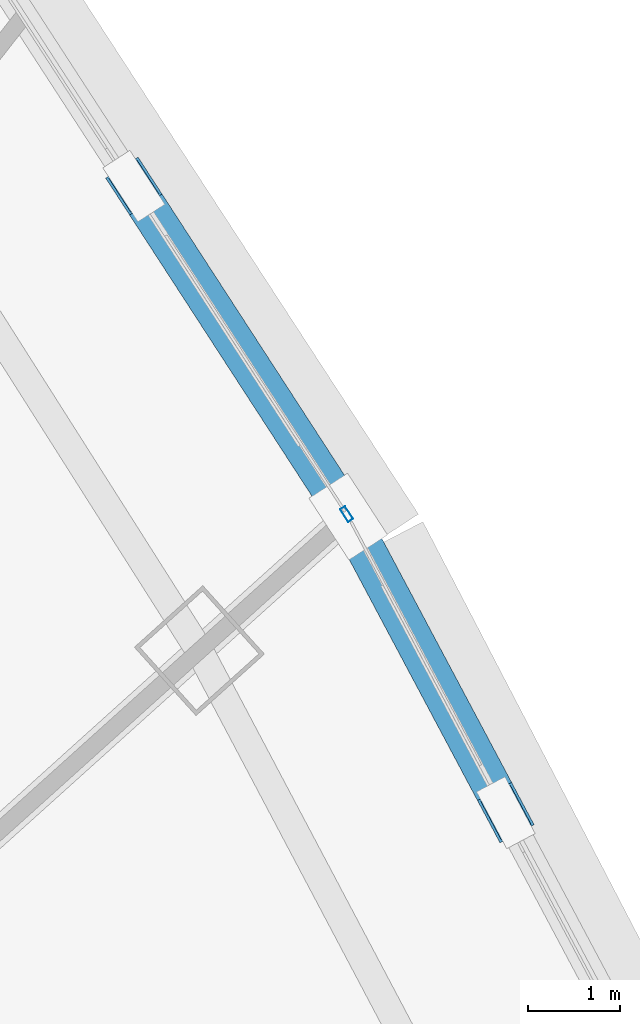
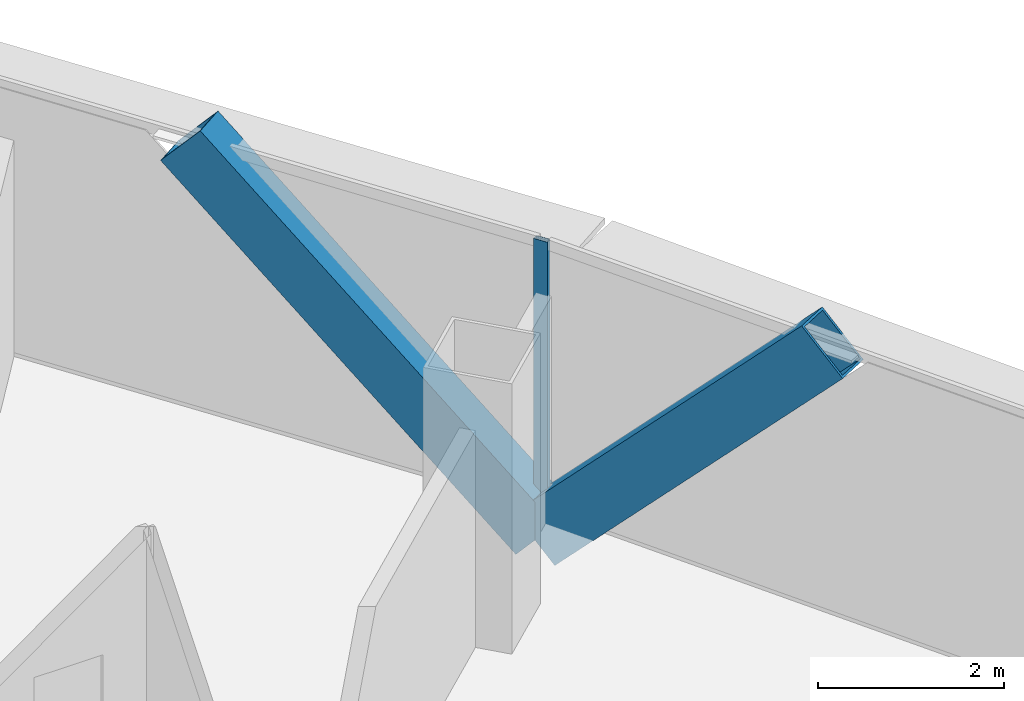
# One storey, part 25 of 38: 3 members, 1 element without a shape of its own.
"""IFC4 building model written with IfcOpenShell, lengths in metres."""

from ifc_helpers import new_model, si_unit, direction, frame, origin, origin_2d, place, context, subcontext, project, spatial, hollow_rectangle, extrude, source, transform, mapped, material, layer, layer_set, material_profile, profile_set, type_object, element, aggregate, save


model = new_model("IFC4")

# Units and contexts
model_context = context("Model", 3, precision=1e-05, world=origin(), true_north=direction((0.0, 1.0)))
body_context = subcontext(model_context, "Body", "Model", "MODEL_VIEW")
ifc_project = project(units=[si_unit("LENGTHUNIT", "METRE"), si_unit("AREAUNIT", "SQUARE_METRE"), si_unit("VOLUMEUNIT", "CUBIC_METRE"), si_unit("PLANEANGLEUNIT", "RADIAN"), si_unit("MASSUNIT", "GRAM", prefix="KILO"), si_unit("THERMODYNAMICTEMPERATUREUNIT", "KELVIN"), si_unit("POWERUNIT", "WATT")], contexts=[model_context])

# Site, building, storey
site_placement = place(None, origin())
site = spatial("IfcSite", under=ifc_project, at=site_placement, CompositionType="ELEMENT")
building_placement = place(site_placement, origin())
building = spatial("IfcBuilding", under=site, at=building_placement, Name="Yunzhuo Pagoda Commons", CompositionType="ELEMENT")
storey_placement = place(building_placement, frame((0.0, 0.0, 81.179931640625)))
storey = spatial("IfcBuildingStorey", under=building, at=storey_placement, Name="L20", CompositionType="ELEMENT", Elevation=81.179931640625)

# Members
ifc_material_1 = material(Name="Structural steel Q420B", Category="steel")
ifc_material_profile_1 = material_profile(ifc_material_1, hollow_rectangle(XDim=0.419921875, YDim=0.719970703125, WallThickness=0.028076171875, at=origin_2d()), Name="Structural steel Q420B")
ifc_profile_set_1 = profile_set([ifc_material_profile_1], Name="Structural steel Q420B")
member_type_1 = type_object("IfcMemberType", Name="M-DL1 Brace BOX 720x420x28", PredefinedType="BRACE", material=ifc_profile_set_1)
shared_shape_1 = source(origin(), body_context, "Body", "SweptSolid", [
    extrude(hollow_rectangle(XDim=0.419921875, YDim=0.719970703125, WallThickness=0.028076171875, at=origin_2d()), origin(), (0.0, 0.0, 1.0), 5.26416015625),
])
member_1_placement = place(storey_placement, frame((74.2197265625, 57.308349609375, -0.260009765625), z_axis=(0.325102900976, -0.610924467127, 0.721858295819), x_axis=(0.88278665507, 0.469774117668, 0.0)))
element("IfcMember", 1, at=member_1_placement, inside=storey, type_object=member_type_1, Name="L20 facade diamond brace F2.2R", PredefinedType="BRACE", context=body_context, shape_type="MappedRepresentation", body=[
    mapped(shared_shape_1, transform((0.0, 0.0, 0.0), scale=1.0)),
])
shared_shape_2 = source(origin(), body_context, "Body", "SweptSolid", [
    extrude(hollow_rectangle(XDim=0.419921875, YDim=0.719970703125, WallThickness=0.028076171875, at=origin_2d()), origin(), (0.0, 0.0, 1.0), 5.722900390625),
])
member_2_placement = place(storey_placement, frame((74.2197265625, 57.308349609375, -0.260009765625), z_axis=(-0.40694068148, 0.627283340023, 0.664014226569), x_axis=(-0.838928196846, -0.544242115732, 0.0)))
element("IfcMember", 2, at=member_2_placement, inside=storey, type_object=member_type_1, Name="L20 facade diamond brace F2.3L", PredefinedType="BRACE", context=body_context, shape_type="MappedRepresentation", body=[
    mapped(shared_shape_2, transform((0.0, 0.0, 0.0), scale=1.0)),
])

# Curtain wall, member
ifc_material_2 = material(Name="Anodized aluminium 6063-T6", Category="aluminium")
ifc_layer = layer(ifc_material_2, 0.1650390625)
ifc_layer_set = layer_set([ifc_layer], Name="Anodized aluminium 6063-T6")
curtain_wall_type = type_object("IfcCurtainWallType", Name="CW-LOW Low-Zone Ribbon Curtain Wall", PredefinedType="NOTDEFINED", material=ifc_layer_set)
curtain_wall_placement = place(storey_placement, origin())
curtain_wall = element("IfcCurtainWall", 3, at=curtain_wall_placement, inside=storey, type_object=curtain_wall_type, Name="L20 curtain wall CW-L20-F2B4", PredefinedType="NOTDEFINED")
ifc_material_profile_2 = material_profile(ifc_material_2, hollow_rectangle(XDim=0.06494140625, YDim=0.1650390625, WallThickness=0.00390625, at=origin_2d()), Name="Anodized aluminium 6063-T6")
ifc_profile_set_2 = profile_set([ifc_material_profile_2], Name="Anodized aluminium 6063-T6")
member_type_2 = type_object("IfcMemberType", Name="CW-LOW-M Mullion RHS 165x65x4", PredefinedType="MULLION", material=ifc_profile_set_2)
shared_shape_3 = source(origin(), body_context, "Body", "SweptSolid", [
    extrude(hollow_rectangle(XDim=0.06494140625, YDim=0.1650390625, WallThickness=0.00390625, at=origin_2d()), origin(), (0.0, 0.0, 1.0), 3.5400390625),
])
member_3_placement = place(storey_placement, frame((74.2021484375, 57.335693359375, 0.0), z_axis=(0.0, 0.0, 1.0), x_axis=(-0.838906636672, -0.544275348466, 0.0)))
member_3 = element("IfcMember", 4, at=member_3_placement, type_object=member_type_2, Name="CW mullion 1", PredefinedType="MULLION", context=body_context, shape_type="MappedRepresentation", body=[
    mapped(shared_shape_3, transform((0.0, 0.0, 0.0), scale=1.0)),
])
aggregate(curtain_wall, [member_3])

save(model, "model.ifc")
